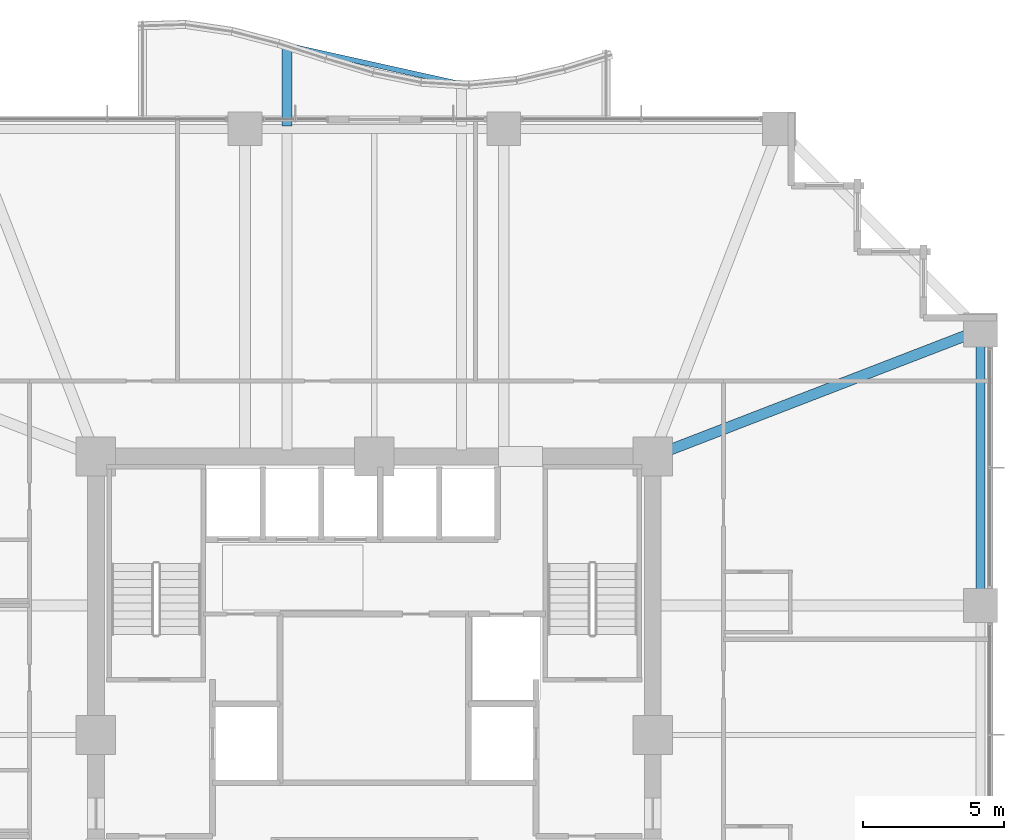
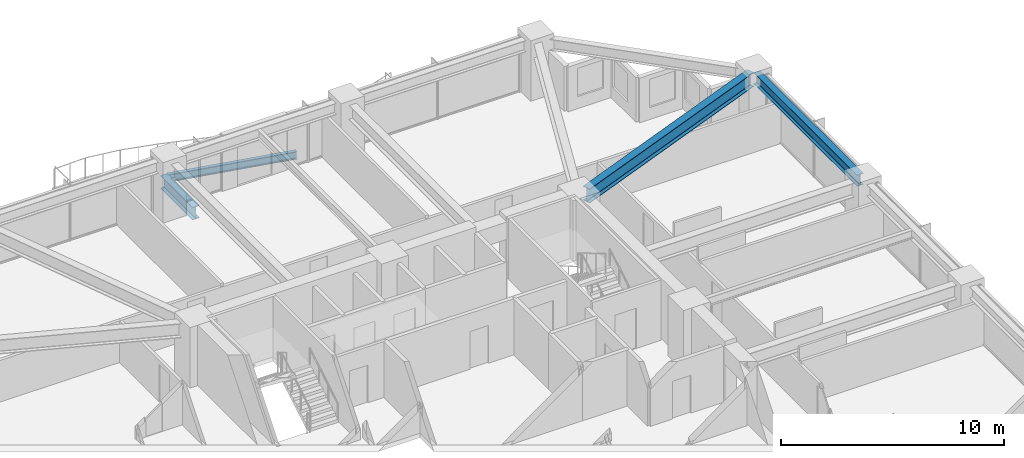
# One storey, part 23 of 38: 4 beams.
"""IFC4 building model written with IfcOpenShell, lengths in metres."""

from ifc_helpers import new_model, si_unit, direction, frame, origin, origin_2d, place, context, subcontext, project, spatial, i_section, extrude, material, material_profile, profile_set, type_object, element, save


model = new_model("IFC4")

# Units and contexts
model_context = context("Model", 3, precision=1e-05, world=origin(), true_north=direction((0.0, 1.0)))
body_context = subcontext(model_context, "Body", "Model", "MODEL_VIEW")
ifc_project = project(units=[si_unit("LENGTHUNIT", "METRE"), si_unit("AREAUNIT", "SQUARE_METRE"), si_unit("VOLUMEUNIT", "CUBIC_METRE"), si_unit("PLANEANGLEUNIT", "RADIAN"), si_unit("MASSUNIT", "GRAM", prefix="KILO")], contexts=[model_context])

# Site, building, storey
site_placement = place(None, origin())
site = spatial("IfcSite", under=ifc_project, at=site_placement, CompositionType="ELEMENT")
building_placement = place(site_placement, origin())
building = spatial("IfcBuilding", under=site, at=building_placement, Name="Kolvaren Belvedere", CompositionType="ELEMENT")
storey_placement = place(building_placement, frame((0.0, 0.0, 27.10009765625)))
storey = spatial("IfcBuildingStorey", under=building, at=storey_placement, Name="L07", CompositionType="ELEMENT", Elevation=27.10009765625)

# Beams
ifc_material_1 = material(Name="Structural steel ASTM A992 Grade 50", Category="steel")
ifc_material_profile_1 = material_profile(ifc_material_1, i_section(OverallWidth=0.35498046875, OverallDepth=0.696044921875, WebThickness=0.015380859375, FlangeThickness=0.02490234375, FilletRadius=0.02197265625, at=origin_2d()), Name="W27X146")
ifc_profile_set_1 = profile_set([ifc_material_profile_1], Name="Structural steel ASTM A992 Grade 50")
beam_type_1 = type_object("IfcBeamType", Name="BM-CANT-BAL", PredefinedType="BEAM", material=ifc_profile_set_1)
beam_1_placement = place(storey_placement, frame((-3.10009765625, 21.64501953125, -0.588134765625), z_axis=(0.0, 1.0, 0.0), x_axis=(-1.0, 0.0, 0.0)))
element("IfcBeam", 1, at=beam_1_placement, inside=storey, type_object=beam_type_1, Name="L07 Planted Balcony Cantilever BAL-N-1", PredefinedType="BEAM", context=body_context, shape_type="SweptSolid", body=[
    extrude(i_section(OverallWidth=0.35498046875, OverallDepth=0.696044921875, WebThickness=0.015380859375, FlangeThickness=0.02490234375, FilletRadius=0.02197265625, at=origin_2d()), origin(), (0.0, 0.0, 1.0), 2.8701171875),
])
ifc_material_2 = material(Name="Structural steel ASTM A992 Grade 50", Category="steel")
ifc_material_profile_2 = material_profile(ifc_material_2, i_section(OverallWidth=0.180908203125, OverallDepth=0.4169921875, WebThickness=0.010986328125, FlangeThickness=0.018310546875, FilletRadius=0.013916015625, at=origin_2d()), Name="W16X57")
ifc_profile_set_2 = profile_set([ifc_material_profile_2], Name="Structural steel ASTM A992 Grade 50")
beam_type_2 = type_object("IfcBeamType", Name="BM-EDGE-W16X57", PredefinedType="BEAM", material=ifc_profile_set_2)
beam_2_placement = place(storey_placement, frame((-2.96337890625, 24.484619140625, -0.448486328125), z_axis=(0.976209763329, -0.216828268408, 0.0), x_axis=(0.216828268408, 0.976209763329, 0.0)))
element("IfcBeam", 2, at=beam_2_placement, inside=storey, type_object=beam_type_2, Name="L07 Balcony Tip Header Beam BAL-N", PredefinedType="BEAM", context=body_context, shape_type="SweptSolid", body=[
    extrude(i_section(OverallWidth=0.180908203125, OverallDepth=0.4169921875, WebThickness=0.010986328125, FlangeThickness=0.018310546875, FilletRadius=0.013916015625, at=origin_2d()), origin(), (0.0, 0.0, 1.0), 6.0712890625),
])
ifc_material_3 = material(Name="Structural steel ASTM A992 Grade 50", Category="steel")
ifc_material_profile_3 = material_profile(ifc_material_3, i_section(OverallWidth=0.381103515625, OverallDepth=0.77294921875, WebThickness=0.0166015625, FlangeThickness=0.027099609375, FilletRadius=0.02392578125, at=origin_2d()), Name="W30X173")
ifc_profile_set_3 = profile_set([ifc_material_profile_3], Name="Structural steel ASTM A992 Grade 50")
beam_type_3 = type_object("IfcBeamType", Name="BM-GIRD-W30X173", PredefinedType="BEAM", material=ifc_profile_set_3)
beam_3_placement = place(storey_placement, frame((10.4130859375, 10.09814453125, 2.67333984375), z_axis=(0.932829382313, 0.360318391835, 0.0), x_axis=(-0.360318391835, 0.932829382313, 0.0)))
element("IfcBeam", 3, at=beam_3_placement, inside=storey, type_object=beam_type_3, Name="L07 Corner Core-to-Perimeter Girder CC3-E4", PredefinedType="BEAM", context=body_context, shape_type="SweptSolid", body=[
    extrude(i_section(OverallWidth=0.381103515625, OverallDepth=0.77294921875, WebThickness=0.0166015625, FlangeThickness=0.027099609375, FilletRadius=0.02392578125, at=origin_2d()), origin(), (0.0, 0.0, 1.0), 11.698974609375),
])
ifc_material_4 = material(Name="Structural steel ASTM A992 Grade 50", Category="steel")
ifc_material_profile_4 = material_profile(ifc_material_4, i_section(OverallWidth=0.324951171875, OverallDepth=0.615966796875, WebThickness=0.013916015625, FlangeThickness=0.021484375, FilletRadius=0.02001953125, at=origin_2d()), Name="W24X117")
ifc_profile_set_4 = profile_set([ifc_material_profile_4], Name="Structural steel ASTM A992 Grade 50")
beam_type_4 = type_object("IfcBeamType", Name="BM-SPAN-W24X117", PredefinedType="SPANDREL", material=ifc_profile_set_4)
beam_4_placement = place(storey_placement, frame((21.550048828125, 4.8701171875, 2.751953125), z_axis=(0.0, 1.0, 0.0), x_axis=(-1.0, 0.0, 0.0)))
element("IfcBeam", 4, at=beam_4_placement, inside=storey, type_object=beam_type_4, Name="L07 Perimeter Spandrel E3-E4", PredefinedType="SPANDREL", context=body_context, shape_type="SweptSolid", body=[
    extrude(i_section(OverallWidth=0.324951171875, OverallDepth=0.615966796875, WebThickness=0.013916015625, FlangeThickness=0.021484375, FilletRadius=0.02001953125, at=origin_2d()), origin(), (0.0, 0.0, 1.0), 9.259765625),
])

save(model, "model.ifc")
